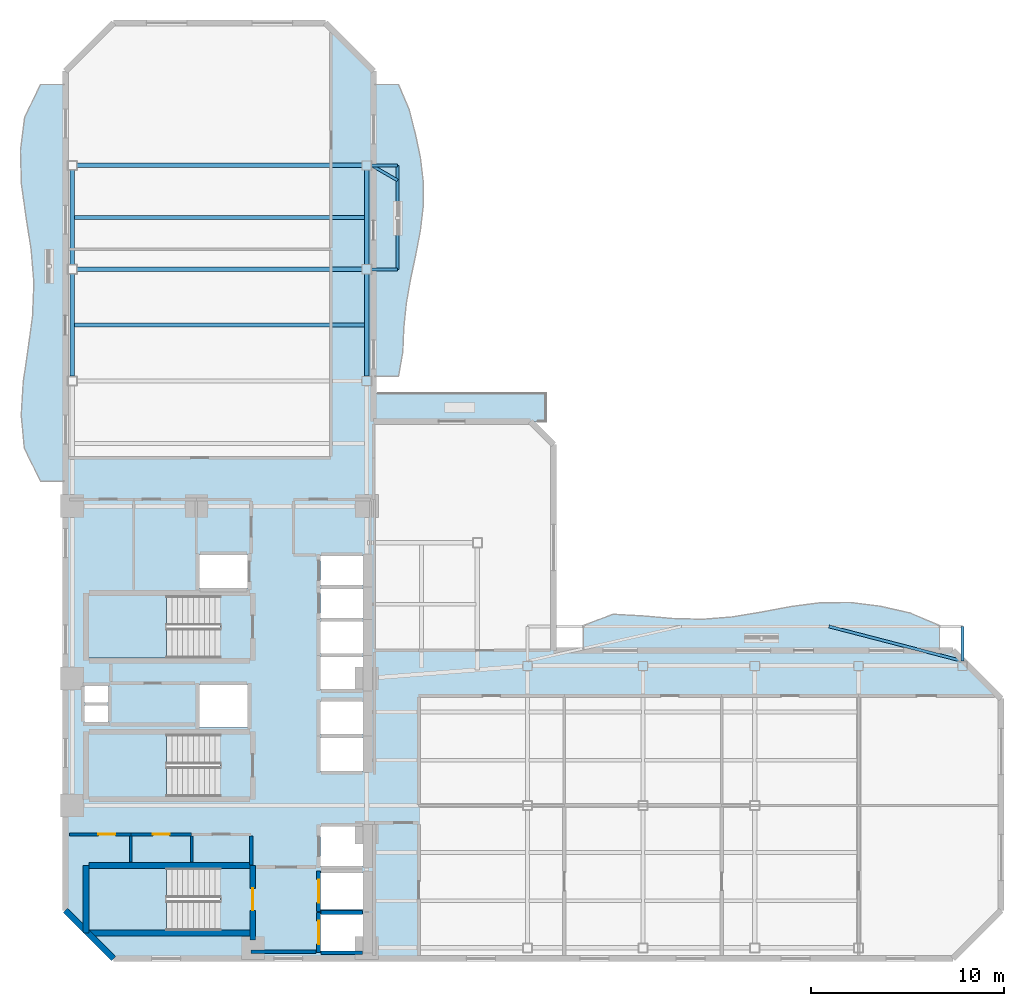
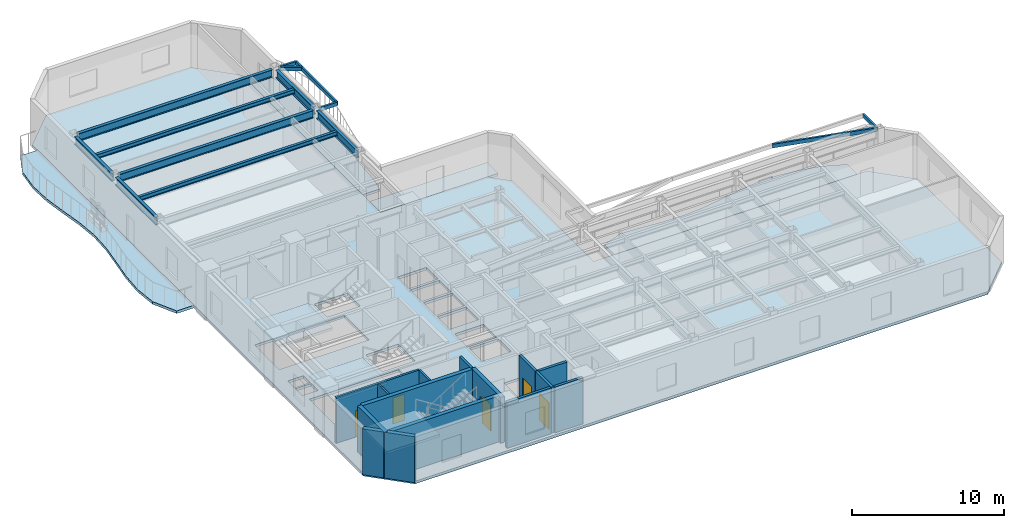
# One storey, part 2 of 10: 15 walls, 14 beams, 8 slabs, 5 doors, 5 openings, 3 elements without a shape of their own.
"""IFC4 building model written with IfcOpenShell, lengths in metres."""

from ifc_helpers import new_model, si_unit, direction, frame, frame_2d, origin, origin_2d, place, context, subcontext, project, spatial, polyline, rectangle, hollow_rectangle, i_section, outline, extrude, material, layer, layer_set, material_profile, profile_set, type_object, element, fill, aggregate, save


model = new_model("IFC4")

# Units and contexts
model_context = context("Model", 3, precision=1e-05, world=origin(), true_north=direction((0.0, 1.0)))
body_context = subcontext(model_context, "Body", "Model", "MODEL_VIEW")
ifc_project = project(units=[si_unit("LENGTHUNIT", "METRE"), si_unit("AREAUNIT", "SQUARE_METRE"), si_unit("VOLUMEUNIT", "CUBIC_METRE"), si_unit("PLANEANGLEUNIT", "RADIAN"), si_unit("MASSUNIT", "GRAM", prefix="KILO")], contexts=[model_context])

# Site, building, storey
site_placement = place(None, origin())
site = spatial("IfcSite", under=ifc_project, at=site_placement, CompositionType="ELEMENT")
building_placement = place(site_placement, origin())
building = spatial("IfcBuilding", under=site, at=building_placement, Name="Mawjaban Terraces University", CompositionType="ELEMENT")
storey_placement = place(building_placement, frame((0.0, 0.0, 122.89990234375)))
storey = spatial("IfcBuildingStorey", under=building, at=storey_placement, Name="L29", CompositionType="ELEMENT", Elevation=122.89990234375)

# Beams
ifc_material_1 = material(Name="Steel EN 10210-1 S355J2H", Category="steel")
ifc_material_profile_1 = material_profile(ifc_material_1, hollow_rectangle(XDim=0.14990234375, YDim=0.300048828125, WallThickness=0.012451171875, at=origin_2d()), Name="RHS300X150X12.5")
ifc_profile_set_1 = profile_set([ifc_material_profile_1], Name="Steel EN 10210-1 S355J2H")
beam_type_1 = type_object("IfcBeamType", Name="BalconyCantileverSpandrel_RHS", PredefinedType="SPANDREL", material=ifc_profile_set_1)
beam_1_placement = place(storey_placement, frame((68.60009765625, 15.449951171875, 3.5400390625), z_axis=(0.0, 1.0, 0.0), x_axis=(-1.0, 0.0, 0.0)))
element("IfcBeam", 1, at=beam_1_placement, inside=storey, type_object=beam_type_1, Name="L29 Exterior Outrigger BAL-L30-N.2", PredefinedType="SPANDREL", context=body_context, shape_type="SweptSolid", body=[
    extrude(hollow_rectangle(XDim=0.14990234375, YDim=0.300048828125, WallThickness=0.012451171875, at=origin_2d()), origin(), (0.0, 0.0, 1.0), 1.800048828125),
])
beam_2_placement = place(storey_placement, frame((68.60009765625, 15.449951171875, 3.5400390625), z_axis=(-0.968014653654, 0.250893663353, 0.0), x_axis=(-0.250893663353, -0.968014653654, 0.0)))
element("IfcBeam", 2, at=beam_2_placement, inside=storey, type_object=beam_type_1, Name="L29 Exterior Diagonal Strut BAL-L30-N.2", PredefinedType="SPANDREL", context=body_context, shape_type="SweptSolid", body=[
    extrude(hollow_rectangle(XDim=0.14990234375, YDim=0.300048828125, WallThickness=0.012451171875, at=origin_2d()), origin(), (0.0, 0.0, 1.0), 7.174560546875),
])
for number, where, z_axis, x_axis, name in (
    (3, (37.89990234375, 35.800048828125, 3.5400390625), (1.0, 0.0, 0.0), (0.0, 1.0, 0.0), "L29 Exterior Outrigger BAL-L30-E.1"),
    (4, (37.89990234375, 41.199951171875, 3.5400390625), (1.0, 0.0, 0.0), (0.0, 1.0, 0.0), "L29 Exterior Outrigger BAL-L30-E.2"),
):
    element("IfcBeam", number, at=place(storey_placement, frame(where, z_axis=z_axis, x_axis=x_axis)), inside=storey, type_object=beam_type_1, Name=name, PredefinedType="SPANDREL", context=body_context, shape_type="SweptSolid", body=[
        extrude(hollow_rectangle(XDim=0.14990234375, YDim=0.300048828125, WallThickness=0.012451171875, at=origin_2d()), origin(), (0.0, 0.0, 1.0), 1.35009765625),
    ])
beam_3_placement = place(storey_placement, frame((39.25, 35.800048828125, 3.5400390625), z_axis=(0.0, 1.0, 0.0), x_axis=(-1.0, 0.0, 0.0)))
element("IfcBeam", 5, at=beam_3_placement, inside=storey, type_object=beam_type_1, Name="L29 Exterior Edge Spandrel BAL-L30-E", PredefinedType="SPANDREL", context=body_context, shape_type="SweptSolid", body=[
    extrude(hollow_rectangle(XDim=0.14990234375, YDim=0.300048828125, WallThickness=0.012451171875, at=origin_2d()), origin(), (0.0, 0.0, 1.0), 5.39990234375),
])
beam_4_placement = place(storey_placement, frame((37.89990234375, 41.199951171875, 3.5400390625), z_axis=(0.865872609263, -0.500264554538, 0.0), x_axis=(0.500264554538, 0.865872609263, 0.0)))
element("IfcBeam", 6, at=beam_4_placement, inside=storey, type_object=beam_type_1, Name="L29 Exterior Diagonal Strut BAL-L30-E.2", PredefinedType="SPANDREL", context=body_context, shape_type="SweptSolid", body=[
    extrude(hollow_rectangle(XDim=0.14990234375, YDim=0.300048828125, WallThickness=0.012451171875, at=origin_2d()), origin(), (0.0, 0.0, 1.0), 1.559326171875),
])
ifc_material_2 = material(Name="Steel ASTM A572 Grade 50", Category="steel")
ifc_material_profile_2 = material_profile(ifc_material_2, i_section(OverallWidth=0.22998046875, OverallDepth=0.616943359375, WebThickness=0.01318359375, FlangeThickness=0.022216796875, at=origin_2d()), Name="W610X140")
ifc_profile_set_2 = profile_set([ifc_material_profile_2], Name="Steel ASTM A572 Grade 50")
beam_type_2 = type_object("IfcBeamType", Name="Beam_B_W610X140", PredefinedType="BEAM", material=ifc_profile_set_2)
for number, where, z_axis, x_axis, name in (
    (7, (22.60009765625, 35.800048828125, 3.382080078125), (1.0, 0.0, 0.0), (0.0, 1.0, 0.0), "L29 Beam BM-L29-EW-15"),
    (8, (22.60009765625, 41.199951171875, 3.382080078125), (1.0, 0.0, 0.0), (0.0, 1.0, 0.0), "L29 Beam BM-L29-EW-16"),
):
    element("IfcBeam", number, at=place(storey_placement, frame(where, z_axis=z_axis, x_axis=x_axis)), inside=storey, type_object=beam_type_2, Name=name, PredefinedType="BEAM", context=body_context, shape_type="SweptSolid", body=[
        extrude(i_section(OverallWidth=0.22998046875, OverallDepth=0.616943359375, WebThickness=0.01318359375, FlangeThickness=0.022216796875, at=origin_2d()), origin(), (0.0, 0.0, 1.0), 14.7998046875),
    ])
beam_5_placement = place(storey_placement, frame((22.35009765625, 30.25, 3.382080078125), z_axis=(0.0, 1.0, 0.0), x_axis=(-1.0, 0.0, 0.0)))
element("IfcBeam", 9, at=beam_5_placement, inside=storey, type_object=beam_type_2, Name="L29 Beam BM-L29-NS-04", PredefinedType="BEAM", context=body_context, shape_type="SweptSolid", body=[
    extrude(i_section(OverallWidth=0.22998046875, OverallDepth=0.616943359375, WebThickness=0.01318359375, FlangeThickness=0.022216796875, at=origin_2d()), origin(), (0.0, 0.0, 1.0), 5.300048828125),
])
beam_6_placement = place(storey_placement, frame((22.35009765625, 36.050048828125, 3.382080078125), z_axis=(0.0, 1.0, 0.0), x_axis=(-1.0, 0.0, 0.0)))
element("IfcBeam", 10, at=beam_6_placement, inside=storey, type_object=beam_type_2, Name="L29 Beam BM-L29-NS-05", PredefinedType="BEAM", context=body_context, shape_type="SweptSolid", body=[
    extrude(i_section(OverallWidth=0.22998046875, OverallDepth=0.616943359375, WebThickness=0.01318359375, FlangeThickness=0.022216796875, at=origin_2d()), origin(), (0.0, 0.0, 1.0), 4.89990234375),
])
beam_7_placement = place(storey_placement, frame((37.64990234375, 30.25, 3.382080078125), z_axis=(0.0, 1.0, 0.0), x_axis=(-1.0, 0.0, 0.0)))
element("IfcBeam", 11, at=beam_7_placement, inside=storey, type_object=beam_type_2, Name="L29 Beam BM-L29-NS-10", PredefinedType="BEAM", context=body_context, shape_type="SweptSolid", body=[
    extrude(i_section(OverallWidth=0.22998046875, OverallDepth=0.616943359375, WebThickness=0.01318359375, FlangeThickness=0.022216796875, at=origin_2d()), origin(), (0.0, 0.0, 1.0), 5.300048828125),
])
beam_8_placement = place(storey_placement, frame((37.64990234375, 36.050048828125, 3.382080078125), z_axis=(0.0, 1.0, 0.0), x_axis=(-1.0, 0.0, 0.0)))
element("IfcBeam", 12, at=beam_8_placement, inside=storey, type_object=beam_type_2, Name="L29 Beam BM-L29-NS-11", PredefinedType="BEAM", context=body_context, shape_type="SweptSolid", body=[
    extrude(i_section(OverallWidth=0.22998046875, OverallDepth=0.616943359375, WebThickness=0.01318359375, FlangeThickness=0.022216796875, at=origin_2d()), origin(), (0.0, 0.0, 1.0), 4.89990234375),
])
ifc_material_profile_3 = material_profile(ifc_material_2, i_section(OverallWidth=0.202880859375, OverallDepth=0.346923828125, WebThickness=0.0078125, FlangeThickness=0.013427734375, at=origin_2d()), Name="W360X64")
ifc_profile_set_3 = profile_set([ifc_material_profile_3], Name="Steel ASTM A572 Grade 50")
beam_type_3 = type_object("IfcBeamType", Name="Beam_J_W360X64", PredefinedType="JOIST", material=ifc_profile_set_3)
for number, where, z_axis, x_axis, name in (
    (13, (22.429931640625, 32.89990234375, 3.51611328125), (1.0, 0.0, 0.0), (0.0, 1.0, 0.0), "L29 Composite Joist JST-L29-19"),
    (14, (22.429931640625, 38.5, 3.51611328125), (1.0, 0.0, 0.0), (0.0, 1.0, 0.0), "L29 Composite Joist JST-L29-20"),
):
    element("IfcBeam", number, at=place(storey_placement, frame(where, z_axis=z_axis, x_axis=x_axis)), inside=storey, type_object=beam_type_3, Name=name, PredefinedType="JOIST", context=body_context, shape_type="SweptSolid", body=[
        extrude(i_section(OverallWidth=0.202880859375, OverallDepth=0.346923828125, WebThickness=0.0078125, FlangeThickness=0.013427734375, at=origin_2d()), origin(), (0.0, 0.0, 1.0), 15.14013671875),
    ])

# Slabs
ifc_material_3 = material(Name="Concrete C40/50", Category="concrete")
ifc_layer_1 = layer(ifc_material_3, 0.2099609375)
ifc_layer_set_1 = layer_set([ifc_layer_1], Name="Concrete C40/50")
slab_type_1 = type_object("IfcSlabType", Name="BalconySlab_210_Ext", PredefinedType="FLOOR", material=ifc_layer_set_1)
slab_1_placement = place(storey_placement, frame((0.0, 0.0, -0.2099609375)))
element("IfcSlab", 15, at=slab_1_placement, inside=storey, type_object=slab_type_1, Name="L29 Planted Balcony Slab west", PredefinedType="FLOOR", context=body_context, shape_type="SweptSolid", body=[
    extrude(outline(polyline([(22.010009765625, 24.800048828125), (22.010009765625, 45.39990234375), (20.699951171875, 45.39990234375), (19.8779296875, 43.68310546875), (19.662109375, 41.967041015625), (19.7109375, 40.25), (19.947998046875, 38.532958984375), (20.218017578125, 36.81689453125), (20.35888671875, 35.10009765625), (20.291015625, 33.383056640625), (20.05810546875, 31.6669921875), (19.805908203125, 29.949951171875), (19.701904296875, 28.23291015625), (19.861083984375, 26.51708984375), (20.699951171875, 24.800048828125), (22.010009765625, 24.800048828125)])), origin(), (0.0, 0.0, 1.0), 0.2099609375),
])
slab_2_placement = place(storey_placement, frame((0.0, 0.0, -0.2099609375)))
element("IfcSlab", 16, at=slab_2_placement, inside=storey, type_object=slab_type_1, Name="L29 Planted Balcony Slab inner_north", PredefinedType="FLOOR", context=body_context, shape_type="SweptSolid", body=[
    extrude(outline(polyline([(48.904052734375, 15.989990234375), (67.39990234375, 15.989990234375), (67.39990234375, 17.300048828125), (65.85888671875, 17.951904296875), (64.31689453125, 18.300048828125), (62.77587890625, 18.4951171875), (61.235107421875, 18.48388671875), (59.693115234375, 18.285888671875), (58.152099609375, 17.99609375), (56.611083984375, 17.741943359375), (55.069091796875, 17.6220703125), (53.528076171875, 17.6630859375), (51.987060546875, 17.798095703125), (50.445068359375, 17.882080078125), (48.904052734375, 17.300048828125), (48.904052734375, 15.989990234375)])), origin(), (0.0, 0.0, 1.0), 0.2099609375),
])
slab_3_placement = place(storey_placement, frame((0.0, 0.0, -0.2099609375)))
element("IfcSlab", 17, at=slab_3_placement, inside=storey, type_object=slab_type_1, Name="L29 Planted Balcony Slab inner_east", PredefinedType="FLOOR", context=body_context, shape_type="SweptSolid", body=[
    extrude(outline(polyline([(39.300048828125, 30.25), (39.52294921875, 31.511962890625), (39.572998046875, 32.77490234375), (39.705078125, 34.0380859375), (39.927001953125, 35.300048828125), (40.195068359375, 36.56201171875), (40.43701171875, 37.824951171875), (40.5830078125, 39.0869140625), (40.5830078125, 40.35009765625), (40.43310546875, 41.612060546875), (40.166015625, 42.875), (39.840087890625, 44.136962890625), (39.300048828125, 45.39990234375), (37.989990234375, 45.39990234375), (37.989990234375, 30.25), (39.300048828125, 30.25)])), origin(), (0.0, 0.0, 1.0), 0.2099609375),
])
ifc_layer_2 = layer(ifc_material_3, 0.2099609375)
ifc_layer_set_2 = layer_set([ifc_layer_2], Name="Concrete C40/50")
slab_type_2 = type_object("IfcSlabType", Name="CompositeSlab_210", PredefinedType="FLOOR", material=ifc_layer_set_2)
slab_4_placement = place(storey_placement, frame((0.0, 0.0, -0.2099609375)))
element("IfcSlab", 18, at=slab_4_placement, inside=storey, type_object=slab_type_2, Name="L29 Primary Structural Slab", PredefinedType="FLOOR", context=body_context, shape_type="SweptSolid", body=[
    extrude(outline(polyline([(24.5, 0.0), (68.10009765625, 0.0), (70.60009765625, 2.5), (70.60009765625, 13.5), (68.10009765625, 16.0), (47.35107421875, 16.0), (47.35107421875, 26.699951171875), (46.15087890625, 27.89990234375), (38.0, 27.89990234375), (38.0, 46.10009765625), (35.5, 48.60009765625), (24.5, 48.60009765625), (22.0, 46.10009765625), (22.0, 2.5), (24.5, 0.0)]), holes=[polyline([(30.014892578125, 4.699951171875), (23.199951171875, 4.699951171875), (23.199951171875, 1.449951171875), (30.014892578125, 1.449951171875), (30.014892578125, 4.699951171875)]), polyline([(30.014892578125, 18.85009765625), (23.199951171875, 18.85009765625), (23.199951171875, 15.60009765625), (30.014892578125, 15.60009765625), (30.014892578125, 18.85009765625)]), polyline([(30.014892578125, 11.64990234375), (23.199951171875, 11.64990234375), (23.199951171875, 8.39990234375), (30.014892578125, 8.39990234375), (30.014892578125, 11.64990234375)]), polyline([(35.25, 0.39990234375), (37.449951171875, 0.39990234375), (37.449951171875, 2.300048828125), (35.25, 2.300048828125), (35.25, 0.39990234375)]), polyline([(35.25, 2.550048828125), (37.449951171875, 2.550048828125), (37.449951171875, 4.449951171875), (35.25, 4.449951171875), (35.25, 2.550048828125)]), polyline([(35.25, 4.800048828125), (37.449951171875, 4.800048828125), (37.449951171875, 6.85009765625), (35.25, 6.85009765625), (35.25, 4.800048828125)]), polyline([(35.25, 9.75), (37.449951171875, 9.75), (37.449951171875, 11.449951171875), (35.25, 11.449951171875), (35.25, 9.75)]), polyline([(35.25, 11.64990234375), (37.449951171875, 11.64990234375), (37.449951171875, 13.35009765625), (35.25, 13.35009765625), (35.25, 11.64990234375)]), polyline([(28.949951171875, 12.0), (31.449951171875, 12.0), (31.449951171875, 14.199951171875), (28.949951171875, 14.199951171875), (28.949951171875, 12.0)]), polyline([(35.25, 14.0), (37.449951171875, 14.0), (37.449951171875, 15.64990234375), (35.25, 15.64990234375), (35.25, 14.0)]), polyline([(35.25, 15.85009765625), (37.449951171875, 15.85009765625), (37.449951171875, 17.5), (35.25, 17.5), (35.25, 15.85009765625)]), polyline([(35.25, 17.699951171875), (37.449951171875, 17.699951171875), (37.449951171875, 19.199951171875), (35.25, 19.199951171875), (35.25, 17.699951171875)]), polyline([(35.25, 19.39990234375), (37.449951171875, 19.39990234375), (37.449951171875, 20.89990234375), (35.25, 20.89990234375), (35.25, 19.39990234375)]), polyline([(28.949951171875, 19.25), (31.449951171875, 19.25), (31.449951171875, 20.949951171875), (28.949951171875, 20.949951171875), (28.949951171875, 19.25)]), polyline([(23.0, 12.25), (24.199951171875, 12.25), (24.199951171875, 13.14990234375), (23.0, 13.14990234375), (23.0, 12.25)]), polyline([(23.0, 13.300048828125), (24.199951171875, 13.300048828125), (24.199951171875, 14.179931640625), (23.0, 14.179931640625), (23.0, 13.300048828125)])]), origin(), (0.0, 0.0, 1.0), 0.2099609375),
])

# Stair, slab
stair_type = type_object("IfcStairType", Name="Stair_Core1550_H39", PredefinedType="HALF_TURN_STAIR", material=ifc_material_3)
stair_1_placement = place(storey_placement, origin())
stair_1 = element("IfcStair", 19, at=stair_1_placement, inside=storey, type_object=stair_type, Name="L29 Core Exit Stair 1", PredefinedType="HALF_TURN_STAIR")
ifc_layer_3 = layer(ifc_material_3, 0.199951171875)
ifc_layer_set_3 = layer_set([ifc_layer_3], Name="Concrete C40/50")
slab_type_3 = type_object("IfcSlabType", Name="StairLandingSlab_200", PredefinedType="LANDING", material=ifc_layer_set_3)
slab_5_placement = place(storey_placement, frame((0.0, 0.0, 1.75)))
slab_5 = element("IfcSlab", 20, at=slab_5_placement, type_object=slab_type_3, Name="ST-1 landing 1", PredefinedType="LANDING", context=body_context, shape_type="SweptSolid", body=[
    extrude(outline(polyline([(27.25, 4.699951171875), (23.199951171875, 4.699951171875), (23.199951171875, 1.449951171875), (27.25, 1.449951171875), (27.25, 4.699951171875)])), origin(), (0.0, 0.0, 1.0), 0.2001953125),
])
aggregate(stair_1, [slab_5])

stair_2_placement = place(storey_placement, origin())
stair_2 = element("IfcStair", 21, at=stair_2_placement, inside=storey, type_object=stair_type, Name="L29 Core Exit Stair 2", PredefinedType="HALF_TURN_STAIR")
slab_6_placement = place(storey_placement, frame((0.0, 0.0, 1.75)))
slab_6 = element("IfcSlab", 22, at=slab_6_placement, type_object=slab_type_3, Name="ST-2 landing 1", PredefinedType="LANDING", context=body_context, shape_type="SweptSolid", body=[
    extrude(outline(polyline([(27.25, 18.85009765625), (23.199951171875, 18.85009765625), (23.199951171875, 15.60009765625), (27.25, 15.60009765625), (27.25, 18.85009765625)])), origin(), (0.0, 0.0, 1.0), 0.2001953125),
])
aggregate(stair_2, [slab_6])

stair_3_placement = place(storey_placement, origin())
stair_3 = element("IfcStair", 23, at=stair_3_placement, inside=storey, type_object=stair_type, Name="L29 Core Exit Stair 3", PredefinedType="HALF_TURN_STAIR")
slab_7_placement = place(storey_placement, frame((0.0, 0.0, 1.75)))
slab_7 = element("IfcSlab", 24, at=slab_7_placement, type_object=slab_type_3, Name="ST-3 landing 1", PredefinedType="LANDING", context=body_context, shape_type="SweptSolid", body=[
    extrude(outline(polyline([(27.25, 11.64990234375), (23.199951171875, 11.64990234375), (23.199951171875, 8.39990234375), (27.25, 8.39990234375), (27.25, 11.64990234375)])), origin(), (0.0, 0.0, 1.0), 0.2001953125),
])
aggregate(stair_3, [slab_7])

# Slab
ifc_layer_4 = layer(ifc_material_3, 0.2099609375)
ifc_layer_set_4 = layer_set([ifc_layer_4], Name="Concrete C40/50")
slab_type_4 = type_object("IfcSlabType", Name="StudyTerraceSlab_210_Ext", PredefinedType="FLOOR", material=ifc_layer_set_4)
slab_8_placement = place(storey_placement, frame((0.0, 0.0, -0.2099609375)))
element("IfcSlab", 25, at=slab_8_placement, inside=storey, type_object=slab_type_4, Name="L29 Exterior Study Terrace Slab", PredefinedType="FLOOR", context=body_context, shape_type="SweptSolid", body=[
    extrude(outline(polyline([(38.0, 27.89990234375), (46.950927734375, 27.89990234375), (46.950927734375, 29.35009765625), (38.0, 29.35009765625), (38.0, 27.89990234375)])), origin(), (0.0, 0.0, 1.0), 0.2099609375),
])

# Wall, opening, door
ifc_material_4 = material(Name="Fire-rated gypsum board on steel stud", Category="steel")
ifc_layer_5 = layer(ifc_material_4, 0.159912109375)
ifc_layer_set_5 = layer_set([ifc_layer_5], Name="Fire-rated gypsum board on steel stud")
wall_type_1 = type_object("IfcWallType", Name="CorridorPartition_160", PredefinedType="PARTITIONING", material=ifc_layer_set_5)
wall_1_placement = place(storey_placement, frame((22.199951171875, 6.449951171875, 0.0), z_axis=(0.0, 0.0, 1.0), x_axis=(1.0, 0.0, 0.0)))
wall_1 = element("IfcWall", 26, at=wall_1_placement, inside=storey, type_object=wall_type_1, Name="L29 Core Washroom Lobby Partition 1", PredefinedType="PARTITIONING", context=body_context, shape_type="SweptSolid", body=[
    extrude(rectangle(XDim=3.199951171875, YDim=0.159912109375, at=frame_2d((1.60009765625, 0.0))), origin(), (0.0, 0.0, 1.0), 3.690185546875),
])
opening_1_placement = place(wall_1_placement, frame((1.510009765625, 0.0, 0.0)))
opening_1 = element("IfcOpeningElement", 27, at=opening_1_placement, cuts=wall_1, Name="Opening ID-088", PredefinedType="OPENING", context=body_context, shape_type="SweptSolid", body=[
    extrude(rectangle(XDim=0.8798828125, YDim=2.10009765625, at=frame_2d((0.43994140625, 1.050048828125))), frame((0.0, 0.08984375, 0.0), z_axis=(0.0, -1.0, 0.0), x_axis=(1.0, 0.0, 0.0)), (0.0, 0.0, 1.0), 0.179931640625),
])
ifc_material_5 = material(Name="Powder-coated steel frame and solid acoustic timber leaf", Category="steel")
door_type_1 = type_object("IfcDoorType", Name="ToiletDoor_880x2100", OperationType="NOTDEFINED", PredefinedType="DOOR", material=ifc_material_5)
door_1_placement = place(opening_1_placement, origin())
door_1 = element("IfcDoor", 28, at=door_1_placement, inside=storey, type_object=door_type_1, Name="L29 Male Toilet Door", OperationType="SINGLE_SWING_LEFT", OverallHeight=2.10009765625, OverallWidth=0.8798828125, PredefinedType="DOOR", context=body_context, shape_type="SweptSolid", body=[
    extrude(rectangle(XDim=0.8798828125, YDim=2.10009765625, at=frame_2d((0.43994140625, 1.050048828125))), frame((0.0, 0.02490234375, 0.0), z_axis=(0.0, -1.0, 0.0), x_axis=(1.0, 0.0, 0.0)), (0.0, 0.0, 1.0), 0.050048828125),
])
fill(opening_1, door_1)

wall_2_placement = place(storey_placement, frame((25.39990234375, 6.449951171875, 0.0), z_axis=(0.0, 0.0, 1.0), x_axis=(1.0, 0.0, 0.0)))
wall_2 = element("IfcWall", 29, at=wall_2_placement, inside=storey, type_object=wall_type_1, Name="L29 Core Washroom Lobby Partition 4", PredefinedType="PARTITIONING", context=body_context, shape_type="SweptSolid", body=[
    extrude(rectangle(XDim=3.150146484375, YDim=0.159912109375, at=frame_2d((1.5751953125, 0.0))), origin(), (0.0, 0.0, 1.0), 3.690185546875),
])
opening_2_placement = place(wall_2_placement, frame((1.135009765625, 0.0, 0.0)))
opening_2 = element("IfcOpeningElement", 30, at=opening_2_placement, cuts=wall_2, Name="Opening ID-088", PredefinedType="OPENING", context=body_context, shape_type="SweptSolid", body=[
    extrude(rectangle(XDim=0.8798828125, YDim=2.10009765625, at=frame_2d((0.43994140625, 1.050048828125))), frame((0.0, 0.08984375, 0.0), z_axis=(0.0, -1.0, 0.0), x_axis=(1.0, 0.0, 0.0)), (0.0, 0.0, 1.0), 0.179931640625),
])
door_2_placement = place(opening_2_placement, origin())
door_2 = element("IfcDoor", 31, at=door_2_placement, inside=storey, type_object=door_type_1, Name="L29 Female Toilet Door", OperationType="SINGLE_SWING_RIGHT", OverallHeight=2.10009765625, OverallWidth=0.8798828125, PredefinedType="DOOR", context=body_context, shape_type="SweptSolid", body=[
    extrude(rectangle(XDim=0.8798828125, YDim=2.10009765625, at=frame_2d((0.43994140625, 1.050048828125))), frame((0.0, 0.02490234375, 0.0), z_axis=(0.0, -1.0, 0.0), x_axis=(1.0, 0.0, 0.0)), (0.0, 0.0, 1.0), 0.050048828125),
])
fill(opening_2, door_2)

# Walls
wall_3_placement = place(storey_placement, frame((31.64990234375, 4.860107421875, 0.0), z_axis=(0.0, 0.0, 1.0), x_axis=(0.0, 1.0, 0.0)))
element("IfcWall", 32, at=wall_3_placement, inside=storey, type_object=wall_type_1, Name="L29 Accessible Toilet Partition 31", PredefinedType="PARTITIONING", context=body_context, shape_type="SweptSolid", body=[
    extrude(rectangle(XDim=1.514892578125, YDim=0.159912109375, at=frame_2d((0.75732421875, 0.0))), origin(), (0.0, 0.0, 1.0), 3.690185546875),
])
ifc_material_6 = material(Name="Insulated terracotta rainscreen on concrete backup C40/50", Category="masonry")
ifc_layer_6 = layer(ifc_material_6, 0.300048828125)
ifc_layer_set_6 = layer_set([ifc_layer_6], Name="Insulated terracotta rainscreen on concrete backup C40/50")
wall_type_2 = type_object("IfcWallType", Name="ExtTerracottaWall_300", PredefinedType="SOLIDWALL", material=ifc_layer_set_6)
wall_4_placement = place(storey_placement, frame((22.0, 2.5, 0.0), z_axis=(0.0, 0.0, 1.0), x_axis=(0.707106781187, -0.707106781187, 0.0)))
element("IfcWall", 33, at=wall_4_placement, inside=storey, type_object=wall_type_2, Name="L29 Exterior Terracotta Wall 14", PredefinedType="SOLIDWALL", context=body_context, shape_type="SweptSolid", body=[
    extrude(rectangle(XDim=3.53564453125, YDim=0.300048828125, at=frame_2d((1.767822265625, 0.0))), origin(), (0.0, 0.0, 1.0), 3.690185546875),
])

# Wall, opening, door
ifc_layer_7 = layer(ifc_material_3, 0.199951171875)
ifc_layer_set_7 = layer_set([ifc_layer_7], Name="Concrete C40/50")
wall_type_3 = type_object("IfcWallType", Name="FireLobbyWall_200", PredefinedType="SOLIDWALL", material=ifc_layer_set_7)
wall_5_placement = place(storey_placement, frame((35.14990234375, 2.39990234375, 0.0), z_axis=(0.0, 0.0, 1.0), x_axis=(0.0, -1.0, 0.0)))
wall_5 = element("IfcWall", 34, at=wall_5_placement, inside=storey, type_object=wall_type_3, Name="L29 Lift FL-1 Hoistway Wall West", PredefinedType="SOLIDWALL", context=body_context, shape_type="SweptSolid", body=[
    extrude(rectangle(XDim=2.099853515625, YDim=0.199951171875, at=frame_2d((1.0498046875, 0.0))), origin(), (0.0, 0.0, 1.0), 3.690185546875),
])
opening_3_placement = place(wall_5_placement, frame((0.449951171875, 0.0, 0.0)))
opening_3 = element("IfcOpeningElement", 35, at=opening_3_placement, cuts=wall_5, Name="Opening LD-FL-1", PredefinedType="OPENING", context=body_context, shape_type="SweptSolid", body=[
    extrude(rectangle(XDim=1.199951171875, YDim=2.14990234375, at=frame_2d((0.60009765625, 1.074951171875))), frame((0.0, 0.10986328125, 0.0), z_axis=(0.0, -1.0, 0.0), x_axis=(1.0, 0.0, 0.0)), (0.0, 0.0, 1.0), 0.219970703125),
])
ifc_material_7 = material(Name="Powder-coated steel frame and fire-rated steel-faced leaf", Category="steel")
door_type_2 = type_object("IfcDoorType", Name="LiftLandingFSAE_1200x2150", OperationType="NOTDEFINED", PredefinedType="DOOR", material=ifc_material_7)
door_3_placement = place(opening_3_placement, origin())
door_3 = element("IfcDoor", 36, at=door_3_placement, inside=storey, type_object=door_type_2, Name="L29 Lift FL-1 Sliding Landing Door", OperationType="DOUBLE_DOOR_SLIDING", OverallHeight=2.14990234375, OverallWidth=1.199951171875, PredefinedType="DOOR", context=body_context, shape_type="SweptSolid", body=[
    extrude(rectangle(XDim=1.199951171875, YDim=2.14990234375, at=frame_2d((0.60009765625, 1.074951171875))), frame((0.0, 0.02490234375, 0.0), z_axis=(0.0, -1.0, 0.0), x_axis=(1.0, 0.0, 0.0)), (0.0, 0.0, 1.0), 0.050048828125),
])
fill(opening_3, door_3)

# Walls
for number, where, z_axis, x_axis, name in (
    (37, (35.280029296875, 0.300048828125, 0.0), (0.0, 0.0, 1.0), (1.0, 0.0, 0.0), "L29 Lift FL-1 Hoistway Wall South"),
    (38, (37.419921875, 2.39990234375, 0.0), (0.0, 0.0, 1.0), (-1.0, 0.0, 0.0), "L29 Lift FL-1 Hoistway Wall North"),
):
    element("IfcWall", number, at=place(storey_placement, frame(where, z_axis=z_axis, x_axis=x_axis)), inside=storey, type_object=wall_type_3, Name=name, PredefinedType="SOLIDWALL", context=body_context, shape_type="SweptSolid", body=[
        extrude(rectangle(XDim=2.139892578125, YDim=0.199951171875, at=frame_2d((1.06982421875, 0.0))), origin(), (0.0, 0.0, 1.0), 3.690185546875),
    ])

# Wall, opening, door
wall_6_placement = place(storey_placement, frame((35.14990234375, 4.550048828125, 0.0), z_axis=(0.0, 0.0, 1.0), x_axis=(0.0, -1.0, 0.0)))
wall_6 = element("IfcWall", 39, at=wall_6_placement, inside=storey, type_object=wall_type_3, Name="L29 Lift FL-2 Hoistway Wall West", PredefinedType="SOLIDWALL", context=body_context, shape_type="SweptSolid", body=[
    extrude(rectangle(XDim=2.10009765625, YDim=0.199951171875, at=frame_2d((1.050048828125, 0.0))), origin(), (0.0, 0.0, 1.0), 3.690185546875),
])
opening_4_placement = place(wall_6_placement, frame((0.449951171875, 0.0, 0.0)))
opening_4 = element("IfcOpeningElement", 40, at=opening_4_placement, cuts=wall_6, Name="Opening LD-FL-2", PredefinedType="OPENING", context=body_context, shape_type="SweptSolid", body=[
    extrude(rectangle(XDim=1.199951171875, YDim=2.14990234375, at=frame_2d((0.60009765625, 1.074951171875))), frame((0.0, 0.10986328125, 0.0), z_axis=(0.0, -1.0, 0.0), x_axis=(1.0, 0.0, 0.0)), (0.0, 0.0, 1.0), 0.219970703125),
])
door_4_placement = place(opening_4_placement, origin())
door_4 = element("IfcDoor", 41, at=door_4_placement, inside=storey, type_object=door_type_2, Name="L29 Lift FL-2 Sliding Landing Door", OperationType="DOUBLE_DOOR_SLIDING", OverallHeight=2.14990234375, OverallWidth=1.199951171875, PredefinedType="DOOR", context=body_context, shape_type="SweptSolid", body=[
    extrude(rectangle(XDim=1.199951171875, YDim=2.14990234375, at=frame_2d((0.60009765625, 1.074951171875))), frame((0.0, 0.02490234375, 0.0), z_axis=(0.0, -1.0, 0.0), x_axis=(1.0, 0.0, 0.0)), (0.0, 0.0, 1.0), 0.050048828125),
])
fill(opening_4, door_4)

# Walls
wall_7_placement = place(storey_placement, frame((31.64990234375, 0.35009765625, 0.0), z_axis=(0.0, 0.0, 1.0), x_axis=(1.0, 0.0, 0.0)))
element("IfcWall", 42, at=wall_7_placement, inside=storey, type_object=wall_type_3, Name="L29 Firefighting Lift Lobby Partition 8", PredefinedType="SOLIDWALL", context=body_context, shape_type="SweptSolid", body=[
    extrude(rectangle(XDim=3.3701171875, YDim=0.199951171875, at=frame_2d((1.68505859375, 0.0))), origin(), (0.0, 0.0, 1.0), 3.690185546875),
])
ifc_material_8 = material(Name="Concrete C60/75", Category="concrete")
ifc_layer_8 = layer(ifc_material_8, 0.300048828125)
ifc_layer_set_8 = layer_set([ifc_layer_8], Name="Concrete C60/75")
wall_type_4 = type_object("IfcWallType", Name="StairShaftWall_300", PredefinedType="SHEAR", material=ifc_layer_set_8)
wall_8_placement = place(storey_placement, frame((31.580078125, 4.830078125, 0.0), z_axis=(0.0, 0.0, 1.0), x_axis=(-1.0, 0.0, 0.0)))
element("IfcWall", 43, at=wall_8_placement, inside=storey, type_object=wall_type_4, Name="L29 ST-1 Stair Shaft Wall 1", PredefinedType="SHEAR", context=body_context, shape_type="SweptSolid", body=[
    extrude(rectangle(XDim=8.360107421875, YDim=0.300048828125, at=frame_2d((4.18017578125, 0.0))), origin(), (0.0, 0.0, 1.0), 3.690185546875),
])
wall_9_placement = place(storey_placement, frame((23.070068359375, 4.830078125, 0.0), z_axis=(0.0, 0.0, 1.0), x_axis=(0.0, -1.0, 0.0)))
element("IfcWall", 44, at=wall_9_placement, inside=storey, type_object=wall_type_4, Name="L29 ST-1 Stair Shaft Wall 2", PredefinedType="SHEAR", context=body_context, shape_type="SweptSolid", body=[
    extrude(rectangle(XDim=3.510009765625, YDim=0.300048828125, at=frame_2d((1.7548828125, 0.0))), origin(), (0.0, 0.0, 1.0), 3.690185546875),
])
wall_10_placement = place(storey_placement, frame((23.219970703125, 1.320068359375, 0.0), z_axis=(0.0, 0.0, 1.0), x_axis=(1.0, 0.0, 0.0)))
element("IfcWall", 45, at=wall_10_placement, inside=storey, type_object=wall_type_4, Name="L29 ST-1 Stair Shaft Wall 3", PredefinedType="SHEAR", context=body_context, shape_type="SweptSolid", body=[
    extrude(rectangle(XDim=8.360107421875, YDim=0.300048828125, at=frame_2d((4.18017578125, 0.0))), origin(), (0.0, 0.0, 1.0), 3.690185546875),
])

# Wall, opening, door
wall_11_placement = place(storey_placement, frame((31.72998046875, 0.9599609375, 0.0), z_axis=(0.0, 0.0, 1.0), x_axis=(0.0, 1.0, 0.0)))
wall_11 = element("IfcWall", 46, at=wall_11_placement, inside=storey, type_object=wall_type_4, Name="L29 ST-1 Stair Shaft Wall 4", PredefinedType="SHEAR", context=body_context, shape_type="SweptSolid", body=[
    extrude(rectangle(XDim=3.8701171875, YDim=0.300048828125, at=frame_2d((1.93505859375, 0.0))), origin(), (0.0, 0.0, 1.0), 3.690185546875),
])
opening_5_placement = place(wall_11_placement, frame((1.5400390625, 0.0, 0.0)))
opening_5 = element("IfcOpeningElement", 47, at=opening_5_placement, cuts=wall_11, Name="Opening FD-115", PredefinedType="OPENING", context=body_context, shape_type="SweptSolid", body=[
    extrude(rectangle(XDim=1.14990234375, YDim=2.14990234375, at=frame_2d((0.574951171875, 1.074951171875))), frame((0.0, 0.159912109375, 0.0), z_axis=(0.0, -1.0, 0.0), x_axis=(1.0, 0.0, 0.0)), (0.0, 0.0, 1.0), 0.320068359375),
])
door_type_3 = type_object("IfcDoorType", Name="FireStairDoor_1150x2150", OperationType="NOTDEFINED", PredefinedType="DOOR", material=ifc_material_7)
door_5_placement = place(opening_5_placement, origin())
door_5 = element("IfcDoor", 48, at=door_5_placement, inside=storey, type_object=door_type_3, Name="L29 ST-1 Pressurised Stair Fire Door", OperationType="SINGLE_SWING_LEFT", OverallHeight=2.14990234375, OverallWidth=1.14990234375, PredefinedType="DOOR", context=body_context, shape_type="SweptSolid", body=[
    extrude(rectangle(XDim=1.14990234375, YDim=2.14990234375, at=frame_2d((0.574951171875, 1.074951171875))), frame((0.0, 0.02490234375, 0.0), z_axis=(0.0, -1.0, 0.0), x_axis=(1.0, 0.0, 0.0)), (0.0, 0.0, 1.0), 0.050048828125),
])
fill(opening_5, door_5)

# Walls
ifc_material_9 = material(Name="Cement-board wet-room partition", Category="masonry")
ifc_layer_9 = layer(ifc_material_9, 0.135009765625)
ifc_layer_set_9 = layer_set([ifc_layer_9], Name="Cement-board wet-room partition")
wall_type_5 = type_object("IfcWallType", Name="WetRoomPartition_135", PredefinedType="PARTITIONING", material=ifc_layer_set_9)
for number, where, z_axis, x_axis, name in (
    (49, (25.39990234375, 5.010009765625, 0.0), (0.0, 0.0, 1.0), (0.0, 1.0, 0.0), "L29 Male Toilet Partition 27"),
    (50, (28.550048828125, 5.010009765625, 0.0), (0.0, 0.0, 1.0), (0.0, 1.0, 0.0), "L29 Female Toilet Partition 29"),
):
    element("IfcWall", number, at=place(storey_placement, frame(where, z_axis=z_axis, x_axis=x_axis)), inside=storey, type_object=wall_type_5, Name=name, PredefinedType="PARTITIONING", context=body_context, shape_type="SweptSolid", body=[
        extrude(rectangle(XDim=1.364990234375, YDim=0.135009765625, at=frame_2d((0.6826171875, 0.0))), origin(), (0.0, 0.0, 1.0), 3.690185546875),
    ])

save(model, "model.ifc")
